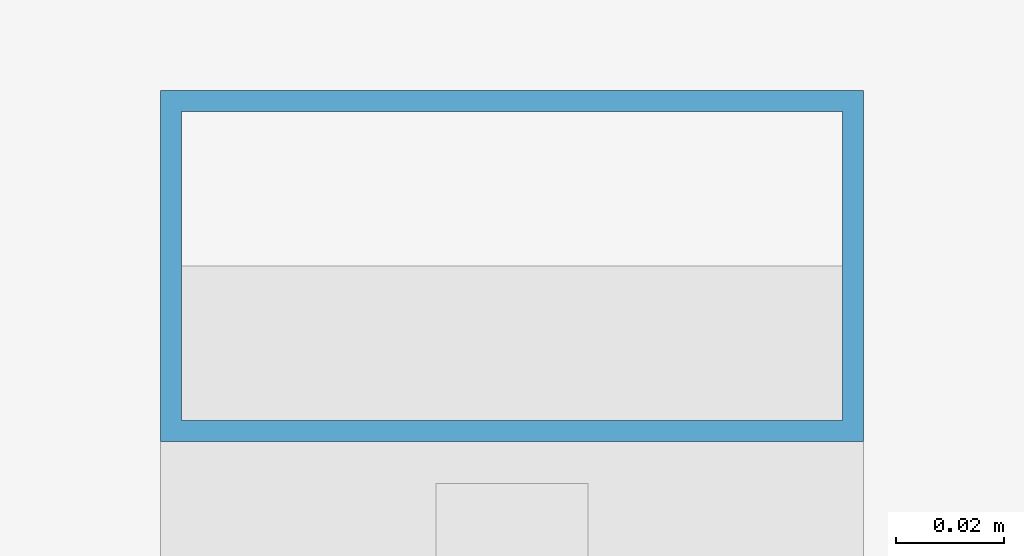
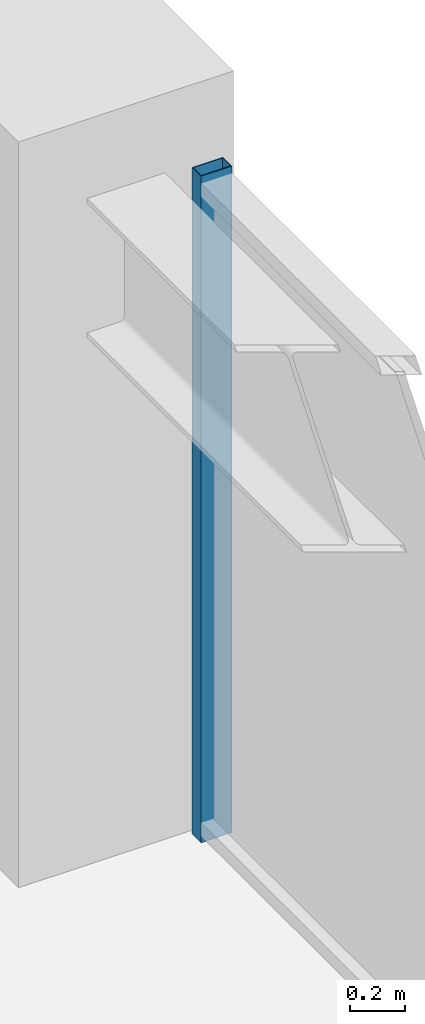
# One storey, part 21 of 31: 1 member, 1 element without a shape of its own.
"""IFC4 building model written with IfcOpenShell, lengths in metres."""

import ifcopenshell
import ifcopenshell.guid

model = None  # the IFC model being written
_history = None  # IfcOwnerHistory: only IFC2X3 demands one
_inside = {}  # id of a spatial element -> (the spatial element, [elements in it])
_under = {}  # id of a project, library or spatial element -> (it, [spatial elements below it])
_declared = {}  # id of a project -> (the project, [libraries it declares])
_typed = {}  # id of a type object -> (the type object, [elements of that type])
_made_of = {}  # id of a material, layer set ... -> (it, [elements and type objects made of it])


def new_model(schema):
    """Start an empty IFC model of exactly this schema.

    Asked for "IFC4X3", IfcOpenShell would pick the latest addendum, in which some entities
    have other attributes; the version numbers below select the first issue.
    IFC2X3 requires an IfcOwnerHistory on every rooted entity: one is made here for all.
    """
    global model, _history
    if schema == "IFC4X3":
        model = ifcopenshell.file(schema_version=(4, 3, 0, 0))
    else:
        model = ifcopenshell.file(schema=schema)
    _inside.clear()
    _under.clear()
    _declared.clear()
    _typed.clear()
    _made_of.clear()
    _history = None
    if model.schema == "IFC2X3":
        org = make("IfcOrganization", Name="unknown")
        user = make(
            "IfcPersonAndOrganization",
            ThePerson=make("IfcPerson", FamilyName="unknown"),
            TheOrganization=org,
        )
        app = make(
            "IfcApplication",
            ApplicationDeveloper=org,
            Version="unknown",
            ApplicationFullName="unknown",
            ApplicationIdentifier="unknown",
        )
        _history = make(
            "IfcOwnerHistory",
            OwningUser=user,
            OwningApplication=app,
            ChangeAction="ADDED",
            CreationDate=0,
        )
    return model


def make(cls, **values):
    """One entity of the class cls with the attributes given. An attribute that is None is left unset."""
    return model.create_entity(
        cls, **{name: value for name, value in values.items() if value is not None}
    )


def rooted(cls, **values):
    """An entity with a GlobalId (a new one), such as an element, a storey or a relation."""
    return make(cls, GlobalId=ifcopenshell.guid.new(), OwnerHistory=_history, **values)


def si_unit(unit_type, name, prefix=None):
    """IfcSIUnit, for example si_unit("LENGTHUNIT", "METRE", prefix="MILLI")."""
    return make("IfcSIUnit", UnitType=unit_type, Prefix=prefix, Name=name)


def assignment(units):
    """IfcUnitAssignment: the units of a project."""
    return None if units is None else make("IfcUnitAssignment", Units=units)


def point(xyz):
    """IfcCartesianPoint."""
    return None if xyz is None else make("IfcCartesianPoint", Coordinates=xyz)


def direction(xyz):
    """IfcDirection."""
    return None if xyz is None else make("IfcDirection", DirectionRatios=xyz)


def frame(location, z_axis=None, x_axis=None):
    """IfcAxis2Placement3D, a coordinate frame: its origin and axes. An axis left out is left unset."""
    return make(
        "IfcAxis2Placement3D",
        Location=point(location),
        Axis=direction(z_axis),
        RefDirection=direction(x_axis),
    )


def frame_2d(location, x_axis=None):
    """IfcAxis2Placement2D, a coordinate frame in the plane: its origin and x axis."""
    return make(
        "IfcAxis2Placement2D", Location=point(location), RefDirection=direction(x_axis)
    )


def origin():
    """The frame at (0, 0, 0) with its axes left unset."""
    return frame((0.0, 0.0, 0.0))


def origin_2d():
    """The frame at (0, 0) in the plane with its x axis left unset."""
    return frame_2d((0.0, 0.0))


def place(relative_to, where):
    """IfcLocalPlacement: puts the frame where relative to a parent placement (None: the world)."""
    return make(
        "IfcLocalPlacement", PlacementRelTo=relative_to, RelativePlacement=where
    )


def context(
    kind, dimensions, precision=None, world=None, true_north=None, identifier=None
):
    """IfcGeometricRepresentationContext, for example the 3D "Model" context."""
    return make(
        "IfcGeometricRepresentationContext",
        ContextIdentifier=identifier,
        ContextType=kind,
        CoordinateSpaceDimension=dimensions,
        Precision=precision,
        WorldCoordinateSystem=world,
        TrueNorth=true_north,
    )


def subcontext(parent, identifier, kind, view, scale=None):
    """IfcGeometricRepresentationSubContext, for example "Body" below "Model"."""
    return make(
        "IfcGeometricRepresentationSubContext",
        ContextIdentifier=identifier,
        ContextType=kind,
        ParentContext=parent,
        TargetScale=scale,
        TargetView=view,
    )


def project(units=None, contexts=None):
    """IfcProject with its units and contexts."""
    return rooted(
        "IfcProject",
        Name="project",
        RepresentationContexts=contexts,
        UnitsInContext=assignment(units),
    )


def spatial(cls, under=None, at=None, **own):
    """A site, building, storey or space (cls), placed at a placement, below another one or the project."""
    s = rooted(cls, ObjectPlacement=at, **own)
    if under is not None:
        _under.setdefault(under.id(), (under, []))[1].append(s)
    return s


def profile(cls, at=None, kind="AREA", **sizes):
    """A parametric profile (cls). Its sizes go by their IFC names, for example OverallWidth=200.0."""
    return make(cls, ProfileType=kind, Position=at, **sizes)


def hollow_rectangle(**sizes):
    """IfcRectangleHollowProfileDef."""
    return profile("IfcRectangleHollowProfileDef", **sizes)


def extrude(swept, where, along, depth):
    """IfcExtrudedAreaSolid: the profile swept, set in the frame where, extruded along a direction by depth."""
    return make(
        "IfcExtrudedAreaSolid",
        SweptArea=swept,
        Position=where,
        ExtrudedDirection=direction(along),
        Depth=depth,
    )


def shape(context_of_items, identifier, shape_type, items):
    """IfcShapeRepresentation: the items that make up one representation, for example the "Body"."""
    return make(
        "IfcShapeRepresentation",
        ContextOfItems=context_of_items,
        RepresentationIdentifier=identifier,
        RepresentationType=shape_type,
        Items=items,
    )


def material(Name=None, Category=None):
    """IfcMaterial."""
    return make("IfcMaterial", Name=Name, Category=Category)


def material_profile(
    of_material, cross_section, Name=None, Category=None, Priority=None
):
    """IfcMaterialProfile: a cross section and its material."""
    return make(
        "IfcMaterialProfile",
        Name=Name,
        Material=of_material,
        Profile=cross_section,
        Priority=Priority,
        Category=Category,
    )


def profile_set(profiles, Name=None, composite=None):
    """IfcMaterialProfileSet."""
    return make(
        "IfcMaterialProfileSet",
        Name=Name,
        MaterialProfiles=profiles,
        CompositeProfile=composite,
    )


def made_of(thing, what):
    """Note that an element or type object is made of a material, layer set ...; save() writes the relation."""
    if what is not None:
        _made_of.setdefault(what.id(), (what, []))[1].append(thing)
    return thing


def type_object(cls, material=None, **own):
    """A type object (cls), such as IfcWallType, which elements share."""
    return made_of(rooted(cls, **own), material)


def element(
    cls,
    number,
    at=None,
    inside=None,
    cuts=None,
    type_object=None,
    material=None,
    context=None,
    identifier="Body",
    shape_type=None,
    held_by="IfcProductDefinitionShape",
    body=None,
    shapes=None,
    **own,
):
    """One element of the class cls, such as IfcWall. Its Tag is "e" and its number.

    at: its placement. inside: the storey or other place that contains it. cuts: it is an
    opening in that element (IfcRelVoidsElement). A single representation is given by context,
    identifier, shape_type and body (its items); several are given by shapes. held_by: the class
    of the entity that holds the representations. save() writes the other relations.
    """
    e = rooted(cls, Tag="e%d" % number, ObjectPlacement=at, **own)
    if body is not None:
        shapes = [shape(context, identifier, shape_type, body)]
    if shapes is not None:
        e.Representation = make(held_by, Representations=shapes)
    if inside is not None:
        _inside.setdefault(inside.id(), (inside, []))[1].append(e)
    if cuts is not None:
        rooted(
            "IfcRelVoidsElement", RelatingBuildingElement=cuts, RelatedOpeningElement=e
        )
    if type_object is not None:
        _typed.setdefault(type_object.id(), (type_object, []))[1].append(e)
    return made_of(e, material)


def aggregate(whole, parts):
    """IfcRelAggregates: a whole, such as a stair, and the parts it consists of."""
    return rooted("IfcRelAggregates", RelatingObject=whole, RelatedObjects=parts)


def save(model, path):
    """Write the relations noted so far, then the file.

    IfcRelAggregates (storeys below a building ...), IfcRelContainedInSpatialStructure (elements
    in a storey), IfcRelDefinesByType, IfcRelAssociatesMaterial and IfcRelDeclares: one each for
    every whole, place, type object, material and project.
    """
    for whole, parts in _under.values():
        aggregate(whole, parts)
    for where, things in _inside.values():
        rooted(
            "IfcRelContainedInSpatialStructure",
            RelatedElements=things,
            RelatingStructure=where,
        )
    for kind, things in _typed.values():
        rooted("IfcRelDefinesByType", RelatedObjects=things, RelatingType=kind)
    for what, things in _made_of.values():
        rooted("IfcRelAssociatesMaterial", RelatedObjects=things, RelatingMaterial=what)
    for by, libraries in _declared.values():
        rooted("IfcRelDeclares", RelatingContext=by, RelatedDefinitions=libraries)
    model.write(path)


model = new_model("IFC4")

# Units and contexts
model_context = context("Model", 3, precision=1e-05, world=origin(), true_north=direction((0.0, 1.0)))
body_context = subcontext(model_context, "Body", "Model", "MODEL_VIEW")
ifc_project = project(units=[si_unit("LENGTHUNIT", "METRE"), si_unit("AREAUNIT", "SQUARE_METRE"), si_unit("VOLUMEUNIT", "CUBIC_METRE"), si_unit("PLANEANGLEUNIT", "RADIAN"), si_unit("MASSUNIT", "GRAM", prefix="KILO")], contexts=[model_context])

# Site, building, storey
site_placement = place(None, origin())
site = spatial("IfcSite", under=ifc_project, at=site_placement, CompositionType="ELEMENT")
building_placement = place(site_placement, origin())
building = spatial("IfcBuilding", under=site, at=building_placement, Name="Kolvaren Belvedere", CompositionType="ELEMENT")
storey_placement = place(building_placement, frame((0.0, 0.0, 144.800048828125)))
storey = spatial("IfcBuildingStorey", under=building, at=storey_placement, Name="L42", CompositionType="ELEMENT", Elevation=144.800048828125)

# Curtain wall, member
ifc_material_1 = material(Name="Anodised pale-metal aluminium AA 6063-T6", Category="aluminium")
curtain_wall_type = type_object("IfcCurtainWallType", Name="CW-Z3-WAIST", PredefinedType="NOTDEFINED", material=ifc_material_1)
curtain_wall_placement = place(storey_placement, origin())
curtain_wall = element("IfcCurtainWall", 1, at=curtain_wall_placement, inside=storey, type_object=curtain_wall_type, Name="L42 Unitised Curtain Wall FCW-L42-E-B1", PredefinedType="NOTDEFINED")
ifc_material_2 = material(Name="Anodised pale-metal aluminium AA 6063-T6", Category="aluminium")
ifc_material_profile = material_profile(ifc_material_2, hollow_rectangle(XDim=0.06494140625, YDim=0.1298828125, WallThickness=0.00390625, at=origin_2d()), Name="ALU-MUL-130X65")
ifc_profile_set = profile_set([ifc_material_profile], Name="Anodised pale-metal aluminium AA 6063-T6")
member_type = type_object("IfcMemberType", Name="CW-MUL-130", PredefinedType="MULLION", material=ifc_profile_set)
member_placement = place(storey_placement, frame((17.8798828125, 11.24755859375, 0.0), z_axis=(0.0, 0.0, 1.0), x_axis=(0.0, 1.0, 0.0)))
member = element("IfcMember", 2, at=member_placement, type_object=member_type, Name="FCW-L42-E-B1 Unitised Mullion 1", PredefinedType="MULLION", context=body_context, shape_type="SweptSolid", body=[
    extrude(hollow_rectangle(XDim=0.06494140625, YDim=0.1298828125, WallThickness=0.00390625, at=origin_2d()), origin(), (0.0, 0.0, 1.0), 2.949951171875),
])
aggregate(curtain_wall, [member])

save(model, "model.ifc")
